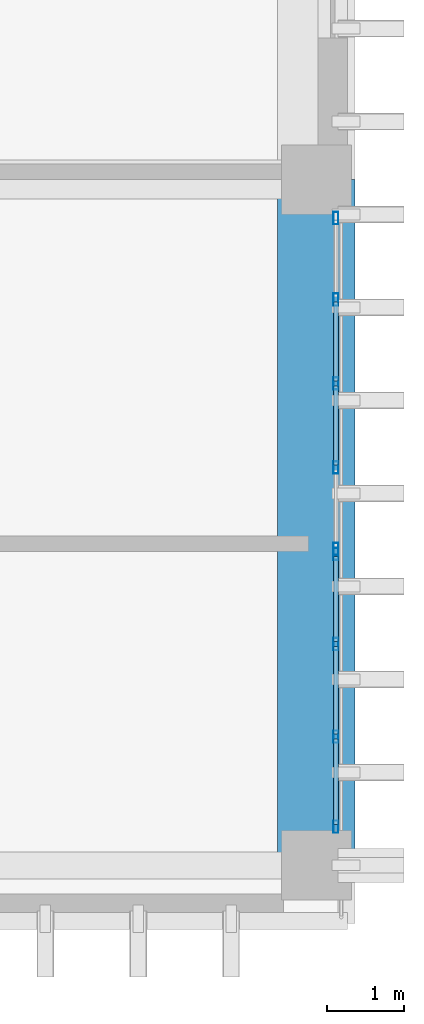
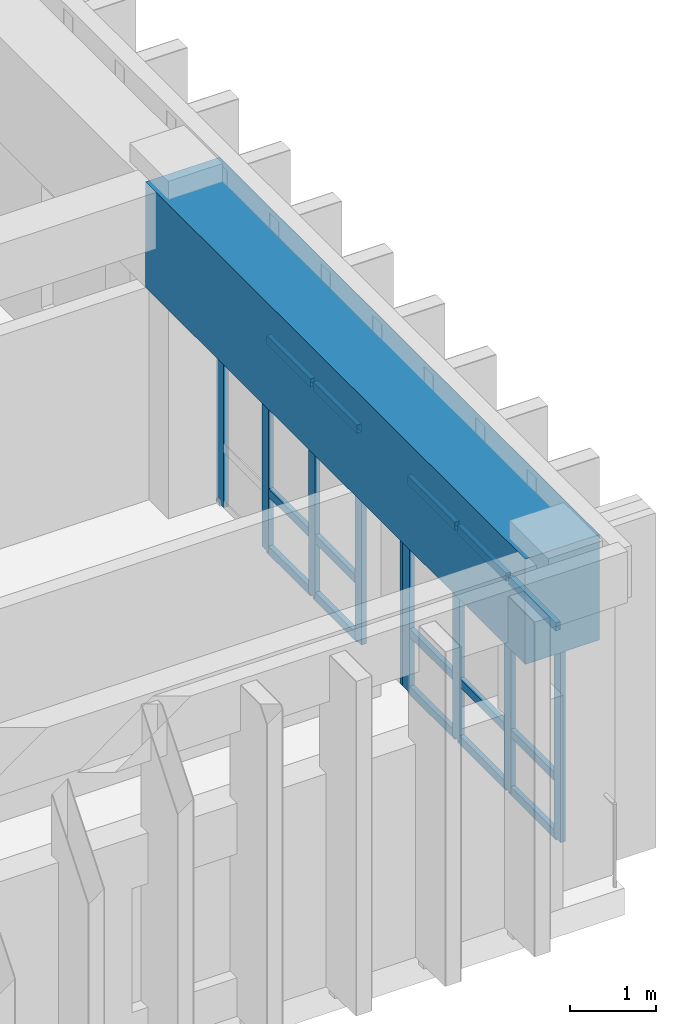
# One storey, part 33 of 101: 24 members, 1 beam, 2 elements without a shape of their own.
"""IFC4 building model written with IfcOpenShell, lengths in metres."""

from ifc_helpers import new_model, si_unit, direction, frame, origin, origin_2d, place, context, subcontext, project, spatial, rectangle, hollow_rectangle, extrude, material, layer, layer_set, material_profile, profile_set, type_object, element, aggregate, save


model = new_model("IFC4")

# Units and contexts
model_context = context("Model", 3, precision=1e-05, world=origin(), true_north=direction((0.0, 1.0)))
body_context = subcontext(model_context, "Body", "Model", "MODEL_VIEW")
ifc_project = project(units=[si_unit("LENGTHUNIT", "METRE"), si_unit("AREAUNIT", "SQUARE_METRE"), si_unit("VOLUMEUNIT", "CUBIC_METRE"), si_unit("PLANEANGLEUNIT", "RADIAN"), si_unit("MASSUNIT", "GRAM", prefix="KILO")], contexts=[model_context])

# Site, building, storey
site_placement = place(None, origin())
site = spatial("IfcSite", under=ifc_project, at=site_placement, CompositionType="ELEMENT")
building_placement = place(site_placement, origin())
building = spatial("IfcBuilding", under=site, at=building_placement, Name="Nakhvara Creek Congress Hotel", CompositionType="ELEMENT")
storey_placement = place(building_placement, frame((0.0, 0.0, 16.199951171875)))
storey = spatial("IfcBuildingStorey", under=building, at=storey_placement, Name="L03", CompositionType="ELEMENT", Elevation=16.199951171875)

# Beam
ifc_material_1 = material(Name="Concrete C50/60", Category="concrete")
ifc_material_profile_1 = material_profile(ifc_material_1, rectangle(XDim=1.0, YDim=1.5, at=origin_2d()), Name="RC-TG 1000x1500", Category="LoadBearing")
ifc_profile_set_1 = profile_set([ifc_material_profile_1], Name="Concrete C50/60")
beam_type = type_object("IfcBeamType", Name="BM-TG2-1500", PredefinedType="BEAM", material=ifc_profile_set_1)
beam_placement = place(storey_placement, frame((179.35009765625, 0.75, 3.7900390625), z_axis=(0.0, 1.0, 0.0), x_axis=(-1.0, 0.0, 0.0)))
element("IfcBeam", 1, at=beam_placement, inside=storey, type_object=beam_type, Name="Transfer Girder TG2-L03-1896", PredefinedType="BEAM", context=body_context, shape_type="SweptSolid", body=[
    extrude(rectangle(XDim=1.0, YDim=1.5, at=origin_2d()), origin(), (0.0, 0.0, 1.0), 8.85009765625),
])

# Curtain wall, members
ifc_material_2 = material(Name="Bronze-anodised aluminium AW-6063-T6 and double-silver low-E glass", Category="aluminium")
ifc_layer = layer(ifc_material_2, 0.199951171875)
ifc_layer_set = layer_set([ifc_layer], Name="Bronze-anodised aluminium AW-6063-T6 and double-silver low-E glass")
curtain_wall_type = type_object("IfcCurtainWallType", Name="CW-HTL-UNIT", PredefinedType="USERDEFINED", material=ifc_layer_set)
curtain_wall_1_placement = place(storey_placement, origin())
curtain_wall_1 = element("IfcCurtainWall", 2, at=curtain_wall_1_placement, inside=storey, type_object=curtain_wall_type, Name="Curtain Wall CW150", ObjectType="UNITISED", PredefinedType="USERDEFINED")
ifc_material_3 = material(Name="Bronze-anodised aluminium AW-6063-T6", Category="aluminium")
ifc_material_profile_2 = material_profile(ifc_material_3, hollow_rectangle(XDim=0.06494140625, YDim=0.159912109375, WallThickness=0.00390625, at=origin_2d()), Name="ALU-MULL 65x160x4", Category="LoadBearing")
ifc_profile_set_2 = profile_set([ifc_material_profile_2], Name="Bronze-anodised aluminium AW-6063-T6")
member_type_1 = type_object("IfcMemberType", Name="CW-MULL-160", PredefinedType="MULLION", material=ifc_profile_set_2)
member_1_placement = place(storey_placement, frame((179.60009765625, 4.767578125, 0.0), z_axis=(0.0, 0.0, 1.0), x_axis=(1.0, 0.0, 0.0)))
member_1 = element("IfcMember", 3, at=member_1_placement, type_object=member_type_1, Name="CW150 mullion 1", PredefinedType="MULLION", context=body_context, shape_type="SweptSolid", body=[
    extrude(hollow_rectangle(XDim=0.06494140625, YDim=0.159912109375, WallThickness=0.00390625, at=origin_2d()), origin(), (0.0, 0.0, 1.0), 3.031982421875),
])
member_2_placement = place(storey_placement, frame((179.60009765625, 3.60498046875, 0.0), z_axis=(0.0, 0.0, 1.0), x_axis=(1.0, 0.0, 0.0)))
member_2 = element("IfcMember", 4, at=member_2_placement, type_object=member_type_1, Name="CW150 mullion 2", PredefinedType="MULLION", context=body_context, shape_type="SweptSolid", body=[
    extrude(hollow_rectangle(XDim=0.06494140625, YDim=0.159912109375, WallThickness=0.00390625, at=origin_2d()), origin(), (0.0, 0.0, 1.0), 3.031982421875),
])
member_3_placement = place(storey_placement, frame((179.60009765625, 2.409912109375, 0.0), z_axis=(0.0, 0.0, 1.0), x_axis=(1.0, 0.0, 0.0)))
member_3 = element("IfcMember", 5, at=member_3_placement, type_object=member_type_1, Name="CW150 mullion 3", PredefinedType="MULLION", context=body_context, shape_type="SweptSolid", body=[
    extrude(hollow_rectangle(XDim=0.06494140625, YDim=0.159912109375, WallThickness=0.00390625, at=origin_2d()), origin(), (0.0, 0.0, 1.0), 3.031982421875),
])
member_4_placement = place(storey_placement, frame((179.60009765625, 1.24755859375, 0.0), z_axis=(0.0, 0.0, 1.0), x_axis=(1.0, 0.0, 0.0)))
member_4 = element("IfcMember", 6, at=member_4_placement, type_object=member_type_1, Name="CW150 mullion 4", PredefinedType="MULLION", context=body_context, shape_type="SweptSolid", body=[
    extrude(hollow_rectangle(XDim=0.06494140625, YDim=0.159912109375, WallThickness=0.00390625, at=origin_2d()), origin(), (0.0, 0.0, 1.0), 3.031982421875),
])

curtain_wall_2_placement = place(storey_placement, origin())
curtain_wall_2 = element("IfcCurtainWall", 7, at=curtain_wall_2_placement, inside=storey, type_object=curtain_wall_type, Name="Curtain Wall CW151", ObjectType="UNITISED", PredefinedType="USERDEFINED")
member_5_placement = place(storey_placement, frame((179.60009765625, 9.1025390625, 0.0), z_axis=(0.0, 0.0, 1.0), x_axis=(1.0, 0.0, 0.0)))
member_5 = element("IfcMember", 8, at=member_5_placement, type_object=member_type_1, Name="CW151 mullion 1", PredefinedType="MULLION", context=body_context, shape_type="SweptSolid", body=[
    extrude(hollow_rectangle(XDim=0.06494140625, YDim=0.159912109375, WallThickness=0.00390625, at=origin_2d()), origin(), (0.0, 0.0, 1.0), 3.031982421875),
])
member_6_placement = place(storey_placement, frame((179.60009765625, 8.05126953125, 0.0), z_axis=(0.0, 0.0, 1.0), x_axis=(1.0, 0.0, 0.0)))
member_6 = element("IfcMember", 9, at=member_6_placement, type_object=member_type_1, Name="CW151 mullion 2", PredefinedType="MULLION", context=body_context, shape_type="SweptSolid", body=[
    extrude(hollow_rectangle(XDim=0.06494140625, YDim=0.159912109375, WallThickness=0.00390625, at=origin_2d()), origin(), (0.0, 0.0, 1.0), 3.031982421875),
])
member_7_placement = place(storey_placement, frame((179.60009765625, 6.967529296875, 0.0), z_axis=(0.0, 0.0, 1.0), x_axis=(1.0, 0.0, 0.0)))
member_7 = element("IfcMember", 10, at=member_7_placement, type_object=member_type_1, Name="CW151 mullion 3", PredefinedType="MULLION", context=body_context, shape_type="SweptSolid", body=[
    extrude(hollow_rectangle(XDim=0.06494140625, YDim=0.159912109375, WallThickness=0.00390625, at=origin_2d()), origin(), (0.0, 0.0, 1.0), 3.031982421875),
])
member_8_placement = place(storey_placement, frame((179.60009765625, 5.8837890625, 0.0), z_axis=(0.0, 0.0, 1.0), x_axis=(1.0, 0.0, 0.0)))
member_8 = element("IfcMember", 11, at=member_8_placement, type_object=member_type_1, Name="CW151 mullion 4", PredefinedType="MULLION", context=body_context, shape_type="SweptSolid", body=[
    extrude(hollow_rectangle(XDim=0.06494140625, YDim=0.159912109375, WallThickness=0.00390625, at=origin_2d()), origin(), (0.0, 0.0, 1.0), 3.031982421875),
])
member_9_placement = place(storey_placement, frame((179.60009765625, 4.83251953125, 0.0), z_axis=(0.0, 0.0, 1.0), x_axis=(1.0, 0.0, 0.0)))
member_9 = element("IfcMember", 12, at=member_9_placement, type_object=member_type_1, Name="CW151 mullion 5", PredefinedType="MULLION", context=body_context, shape_type="SweptSolid", body=[
    extrude(hollow_rectangle(XDim=0.06494140625, YDim=0.159912109375, WallThickness=0.00390625, at=origin_2d()), origin(), (0.0, 0.0, 1.0), 3.031982421875),
])

# Member
ifc_material_profile_3 = material_profile(ifc_material_3, hollow_rectangle(XDim=0.06494140625, YDim=0.1201171875, WallThickness=0.00390625, at=origin_2d()), Name="ALU-TRAN 65x120x4", Category="LoadBearing")
ifc_profile_set_3 = profile_set([ifc_material_profile_3], Name="Bronze-anodised aluminium AW-6063-T6")
member_type_2 = type_object("IfcMemberType", Name="CW-TRAN-120", PredefinedType="USERDEFINED", material=ifc_profile_set_3)
member_10_placement = place(storey_placement, frame((179.60009765625, 4.735107421875, 0.032470703125), z_axis=(0.0, -1.0, 0.0), x_axis=(1.0, 0.0, 0.0)))
member_10 = element("IfcMember", 13, at=member_10_placement, type_object=member_type_2, Name="CW150 transom 1.1", ObjectType="TRANSOM", PredefinedType="USERDEFINED", context=body_context, shape_type="SweptSolid", body=[
    extrude(hollow_rectangle(XDim=0.06494140625, YDim=0.1201171875, WallThickness=0.00390625, at=origin_2d()), origin(), (0.0, 0.0, 1.0), 1.09765625),
])

member_11_placement = place(storey_placement, frame((179.60009765625, 4.735107421875, 0.85009765625), z_axis=(0.0, -1.0, 0.0), x_axis=(1.0, 0.0, 0.0)))
member_11 = element("IfcMember", 14, at=member_11_placement, type_object=member_type_2, Name="CW150 transom 1.2", ObjectType="TRANSOM", PredefinedType="USERDEFINED", context=body_context, shape_type="SweptSolid", body=[
    extrude(hollow_rectangle(XDim=0.06494140625, YDim=0.1201171875, WallThickness=0.00390625, at=origin_2d()), origin(), (0.0, 0.0, 1.0), 1.09765625),
])

member_12_placement = place(storey_placement, frame((179.60009765625, 4.735107421875, 2.99951171875), z_axis=(0.0, -1.0, 0.0), x_axis=(1.0, 0.0, 0.0)))
member_12 = element("IfcMember", 15, at=member_12_placement, type_object=member_type_2, Name="CW150 transom 1.3", ObjectType="TRANSOM", PredefinedType="USERDEFINED", context=body_context, shape_type="SweptSolid", body=[
    extrude(hollow_rectangle(XDim=0.06494140625, YDim=0.1201171875, WallThickness=0.00390625, at=origin_2d()), origin(), (0.0, 0.0, 1.0), 1.09765625),
])

member_13_placement = place(storey_placement, frame((179.60009765625, 3.572509765625, 0.032470703125), z_axis=(0.0, -1.0, 0.0), x_axis=(1.0, 0.0, 0.0)))
member_13 = element("IfcMember", 16, at=member_13_placement, type_object=member_type_2, Name="CW150 transom 2.1", ObjectType="TRANSOM", PredefinedType="USERDEFINED", context=body_context, shape_type="SweptSolid", body=[
    extrude(hollow_rectangle(XDim=0.06494140625, YDim=0.1201171875, WallThickness=0.00390625, at=origin_2d()), origin(), (0.0, 0.0, 1.0), 1.130126953125),
])

member_14_placement = place(storey_placement, frame((179.60009765625, 3.572509765625, 0.85009765625), z_axis=(0.0, -1.0, 0.0), x_axis=(1.0, 0.0, 0.0)))
member_14 = element("IfcMember", 17, at=member_14_placement, type_object=member_type_2, Name="CW150 transom 2.2", ObjectType="TRANSOM", PredefinedType="USERDEFINED", context=body_context, shape_type="SweptSolid", body=[
    extrude(hollow_rectangle(XDim=0.06494140625, YDim=0.1201171875, WallThickness=0.00390625, at=origin_2d()), origin(), (0.0, 0.0, 1.0), 1.130126953125),
])

member_15_placement = place(storey_placement, frame((179.60009765625, 3.572509765625, 2.99951171875), z_axis=(0.0, -1.0, 0.0), x_axis=(1.0, 0.0, 0.0)))
member_15 = element("IfcMember", 18, at=member_15_placement, type_object=member_type_2, Name="CW150 transom 2.3", ObjectType="TRANSOM", PredefinedType="USERDEFINED", context=body_context, shape_type="SweptSolid", body=[
    extrude(hollow_rectangle(XDim=0.06494140625, YDim=0.1201171875, WallThickness=0.00390625, at=origin_2d()), origin(), (0.0, 0.0, 1.0), 1.130126953125),
])

member_16_placement = place(storey_placement, frame((179.60009765625, 2.37744140625, 0.032470703125), z_axis=(0.0, -1.0, 0.0), x_axis=(1.0, 0.0, 0.0)))
member_16 = element("IfcMember", 19, at=member_16_placement, type_object=member_type_2, Name="CW150 transom 3.1", ObjectType="TRANSOM", PredefinedType="USERDEFINED", context=body_context, shape_type="SweptSolid", body=[
    extrude(hollow_rectangle(XDim=0.06494140625, YDim=0.1201171875, WallThickness=0.00390625, at=origin_2d()), origin(), (0.0, 0.0, 1.0), 1.097412109375),
])

member_17_placement = place(storey_placement, frame((179.60009765625, 2.37744140625, 0.85009765625), z_axis=(0.0, -1.0, 0.0), x_axis=(1.0, 0.0, 0.0)))
member_17 = element("IfcMember", 20, at=member_17_placement, type_object=member_type_2, Name="CW150 transom 3.2", ObjectType="TRANSOM", PredefinedType="USERDEFINED", context=body_context, shape_type="SweptSolid", body=[
    extrude(hollow_rectangle(XDim=0.06494140625, YDim=0.1201171875, WallThickness=0.00390625, at=origin_2d()), origin(), (0.0, 0.0, 1.0), 1.097412109375),
])

member_18_placement = place(storey_placement, frame((179.60009765625, 2.37744140625, 2.99951171875), z_axis=(0.0, -1.0, 0.0), x_axis=(1.0, 0.0, 0.0)))
member_18 = element("IfcMember", 21, at=member_18_placement, type_object=member_type_2, Name="CW150 transom 3.3", ObjectType="TRANSOM", PredefinedType="USERDEFINED", context=body_context, shape_type="SweptSolid", body=[
    extrude(hollow_rectangle(XDim=0.06494140625, YDim=0.1201171875, WallThickness=0.00390625, at=origin_2d()), origin(), (0.0, 0.0, 1.0), 1.097412109375),
])

aggregate(curtain_wall_1, [member_1, member_2, member_3, member_4, member_10, member_11, member_12, member_13, member_14, member_15, member_16, member_17, member_18])

member_19_placement = place(storey_placement, frame((179.60009765625, 8.018798828125, 0.032470703125), z_axis=(0.0, -1.0, 0.0), x_axis=(1.0, 0.0, 0.0)))
member_19 = element("IfcMember", 22, at=member_19_placement, type_object=member_type_2, Name="CW151 transom 2.1", ObjectType="TRANSOM", PredefinedType="USERDEFINED", context=body_context, shape_type="SweptSolid", body=[
    extrude(hollow_rectangle(XDim=0.06494140625, YDim=0.1201171875, WallThickness=0.00390625, at=origin_2d()), origin(), (0.0, 0.0, 1.0), 1.018798828125),
])

member_20_placement = place(storey_placement, frame((179.60009765625, 8.018798828125, 0.85009765625), z_axis=(0.0, -1.0, 0.0), x_axis=(1.0, 0.0, 0.0)))
member_20 = element("IfcMember", 23, at=member_20_placement, type_object=member_type_2, Name="CW151 transom 2.2", ObjectType="TRANSOM", PredefinedType="USERDEFINED", context=body_context, shape_type="SweptSolid", body=[
    extrude(hollow_rectangle(XDim=0.06494140625, YDim=0.1201171875, WallThickness=0.00390625, at=origin_2d()), origin(), (0.0, 0.0, 1.0), 1.018798828125),
])

member_21_placement = place(storey_placement, frame((179.60009765625, 8.018798828125, 2.99951171875), z_axis=(0.0, -1.0, 0.0), x_axis=(1.0, 0.0, 0.0)))
member_21 = element("IfcMember", 24, at=member_21_placement, type_object=member_type_2, Name="CW151 transom 2.3", ObjectType="TRANSOM", PredefinedType="USERDEFINED", context=body_context, shape_type="SweptSolid", body=[
    extrude(hollow_rectangle(XDim=0.06494140625, YDim=0.1201171875, WallThickness=0.00390625, at=origin_2d()), origin(), (0.0, 0.0, 1.0), 1.018798828125),
])

member_22_placement = place(storey_placement, frame((179.60009765625, 6.93505859375, 0.032470703125), z_axis=(0.0, -1.0, 0.0), x_axis=(1.0, 0.0, 0.0)))
member_22 = element("IfcMember", 25, at=member_22_placement, type_object=member_type_2, Name="CW151 transom 3.1", ObjectType="TRANSOM", PredefinedType="USERDEFINED", context=body_context, shape_type="SweptSolid", body=[
    extrude(hollow_rectangle(XDim=0.06494140625, YDim=0.1201171875, WallThickness=0.00390625, at=origin_2d()), origin(), (0.0, 0.0, 1.0), 1.018798828125),
])

member_23_placement = place(storey_placement, frame((179.60009765625, 6.93505859375, 0.85009765625), z_axis=(0.0, -1.0, 0.0), x_axis=(1.0, 0.0, 0.0)))
member_23 = element("IfcMember", 26, at=member_23_placement, type_object=member_type_2, Name="CW151 transom 3.2", ObjectType="TRANSOM", PredefinedType="USERDEFINED", context=body_context, shape_type="SweptSolid", body=[
    extrude(hollow_rectangle(XDim=0.06494140625, YDim=0.1201171875, WallThickness=0.00390625, at=origin_2d()), origin(), (0.0, 0.0, 1.0), 1.018798828125),
])

member_24_placement = place(storey_placement, frame((179.60009765625, 6.93505859375, 2.99951171875), z_axis=(0.0, -1.0, 0.0), x_axis=(1.0, 0.0, 0.0)))
member_24 = element("IfcMember", 27, at=member_24_placement, type_object=member_type_2, Name="CW151 transom 3.3", ObjectType="TRANSOM", PredefinedType="USERDEFINED", context=body_context, shape_type="SweptSolid", body=[
    extrude(hollow_rectangle(XDim=0.06494140625, YDim=0.1201171875, WallThickness=0.00390625, at=origin_2d()), origin(), (0.0, 0.0, 1.0), 1.018798828125),
])

aggregate(curtain_wall_2, [member_5, member_6, member_7, member_8, member_9, member_19, member_20, member_21, member_22, member_23, member_24])

save(model, "model.ifc")
